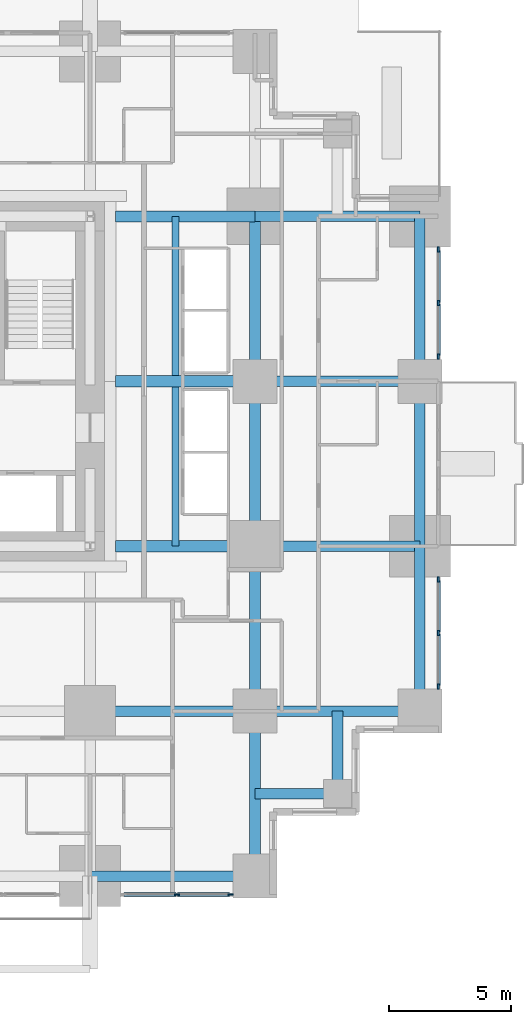
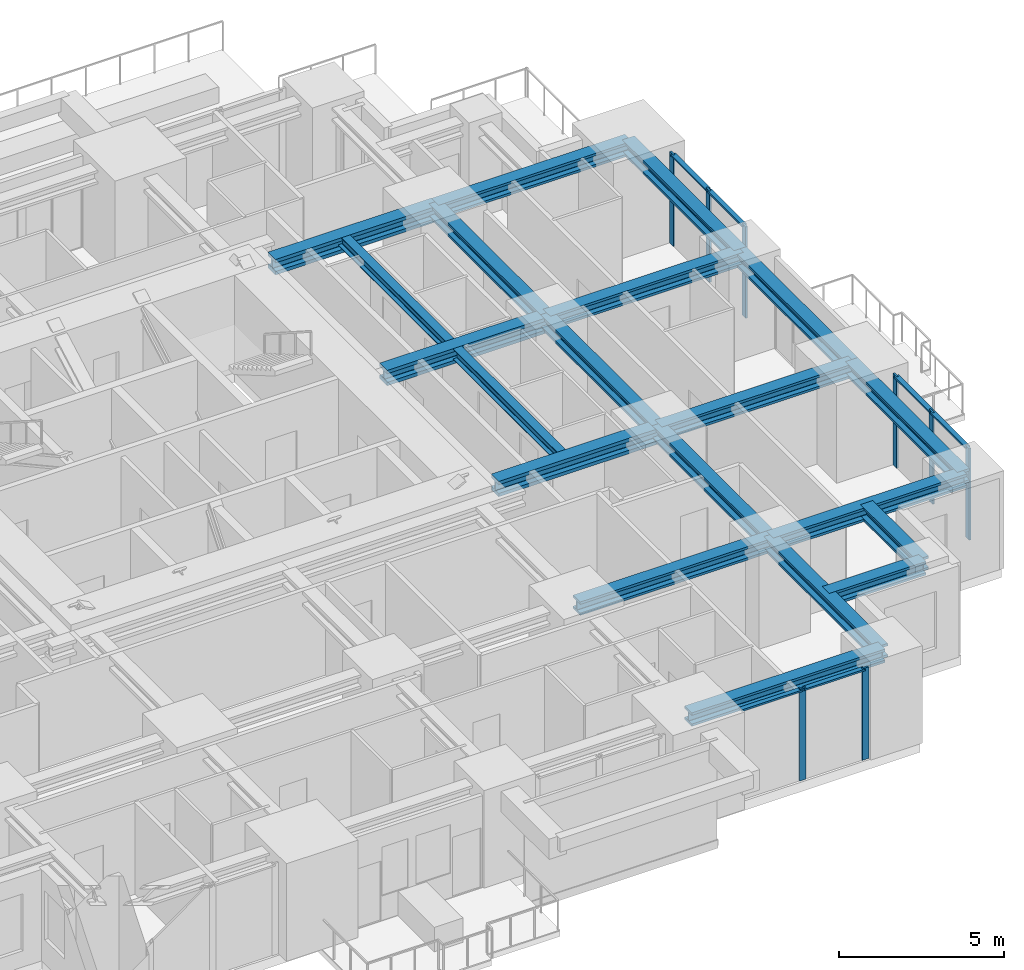
# One storey, part 3 of 12: 20 beams, 14 members, 3 elements without a shape of their own.
"""IFC4 building model written with IfcOpenShell, lengths in metres."""

from ifc_helpers import new_model, si_unit, direction, frame, origin, origin_2d, place, context, subcontext, project, spatial, rectangle, i_section, extrude, material, material_profile, profile_set, type_object, element, aggregate, save


model = new_model("IFC4")

# Units and contexts
model_context = context("Model", 3, precision=1e-05, world=origin(), true_north=direction((0.0, 1.0)))
body_context = subcontext(model_context, "Body", "Model", "MODEL_VIEW")
ifc_project = project(units=[si_unit("LENGTHUNIT", "METRE"), si_unit("AREAUNIT", "SQUARE_METRE"), si_unit("VOLUMEUNIT", "CUBIC_METRE"), si_unit("PLANEANGLEUNIT", "RADIAN"), si_unit("MASSUNIT", "GRAM", prefix="KILO")], contexts=[model_context])

# Site, building, storey
site_placement = place(None, origin())
site = spatial("IfcSite", under=ifc_project, at=site_placement, CompositionType="ELEMENT")
building_placement = place(site_placement, origin())
building = spatial("IfcBuilding", under=site, at=building_placement, Name="Nyansa Garden Tower", CompositionType="ELEMENT")
storey_placement = place(building_placement, frame((0.0, 0.0, 80.10009765625)))
storey = spatial("IfcBuildingStorey", under=building, at=storey_placement, Name="L21", CompositionType="ELEMENT", Elevation=80.10009765625)

# Curtain wall, members
ifc_material_1 = material(Name="Black anodised aluminium, dark tinted double glazing", Category="aluminium")
curtain_wall_type = type_object("IfcCurtainWallType", Name="Inner skin curtain wall ISW-B", PredefinedType="USERDEFINED", material=ifc_material_1)
curtain_wall_1_placement = place(storey_placement, origin())
curtain_wall_1 = element("IfcCurtainWall", 1, at=curtain_wall_1_placement, inside=storey, type_object=curtain_wall_type, Name="Inner skin curtain wall L21 E", ObjectType="UNITISED CURTAIN WALL", PredefinedType="USERDEFINED")
ifc_material_2 = material(Name="Black anodised aluminium", Category="aluminium")
ifc_material_profile_1 = material_profile(ifc_material_2, rectangle(XDim=0.06494140625, YDim=0.22509765625, at=origin_2d()), Name="Mullion 225x65")
ifc_profile_set_1 = profile_set([ifc_material_profile_1], Name="Black anodised aluminium")
member_type_1 = type_object("IfcMemberType", Name="Mullion ISW-B 225x65", PredefinedType="MULLION", material=ifc_profile_set_1)
member_1_placement = place(storey_placement, frame((41.25, 7.762451171875, 0.0), z_axis=(0.0, 0.0, 1.0), x_axis=(-1.0, 0.0, 0.0)))
member_1 = element("IfcMember", 2, at=member_1_placement, type_object=member_type_1, Name="ISW-B mullion 1", PredefinedType="MULLION", context=body_context, shape_type="SweptSolid", body=[
    extrude(rectangle(XDim=0.06494140625, YDim=0.22509765625, at=origin_2d()), origin(), (0.0, 0.0, 1.0), 3.375),
])
member_2_placement = place(storey_placement, frame((41.25, 9.949951171875, 0.0), z_axis=(0.0, 0.0, 1.0), x_axis=(-1.0, 0.0, 0.0)))
member_2 = element("IfcMember", 3, at=member_2_placement, type_object=member_type_1, Name="ISW-B mullion 2", PredefinedType="MULLION", context=body_context, shape_type="SweptSolid", body=[
    extrude(rectangle(XDim=0.06494140625, YDim=0.22509765625, at=origin_2d()), origin(), (0.0, 0.0, 1.0), 3.375),
])
member_3_placement = place(storey_placement, frame((41.25, 12.137451171875, 0.0), z_axis=(0.0, 0.0, 1.0), x_axis=(-1.0, 0.0, 0.0)))
member_3 = element("IfcMember", 4, at=member_3_placement, type_object=member_type_1, Name="ISW-B mullion 3", PredefinedType="MULLION", context=body_context, shape_type="SweptSolid", body=[
    extrude(rectangle(XDim=0.06494140625, YDim=0.22509765625, at=origin_2d()), origin(), (0.0, 0.0, 1.0), 3.375),
])

curtain_wall_2_placement = place(storey_placement, origin())
curtain_wall_2 = element("IfcCurtainWall", 5, at=curtain_wall_2_placement, inside=storey, type_object=curtain_wall_type, Name="Inner skin curtain wall L21 E", ObjectType="UNITISED CURTAIN WALL", PredefinedType="USERDEFINED")
member_4_placement = place(storey_placement, frame((41.25, 21.262451171875, 0.0), z_axis=(0.0, 0.0, 1.0), x_axis=(-1.0, 0.0, 0.0)))
member_4 = element("IfcMember", 6, at=member_4_placement, type_object=member_type_1, Name="ISW-B mullion 1", PredefinedType="MULLION", context=body_context, shape_type="SweptSolid", body=[
    extrude(rectangle(XDim=0.06494140625, YDim=0.22509765625, at=origin_2d()), origin(), (0.0, 0.0, 1.0), 3.375),
])
member_5_placement = place(storey_placement, frame((41.25, 23.449951171875, 0.0), z_axis=(0.0, 0.0, 1.0), x_axis=(-1.0, 0.0, 0.0)))
member_5 = element("IfcMember", 7, at=member_5_placement, type_object=member_type_1, Name="ISW-B mullion 2", PredefinedType="MULLION", context=body_context, shape_type="SweptSolid", body=[
    extrude(rectangle(XDim=0.06494140625, YDim=0.22509765625, at=origin_2d()), origin(), (0.0, 0.0, 1.0), 3.375),
])
member_6_placement = place(storey_placement, frame((41.25, 25.637451171875, 0.0), z_axis=(0.0, 0.0, 1.0), x_axis=(-1.0, 0.0, 0.0)))
member_6 = element("IfcMember", 8, at=member_6_placement, type_object=member_type_1, Name="ISW-B mullion 3", PredefinedType="MULLION", context=body_context, shape_type="SweptSolid", body=[
    extrude(rectangle(XDim=0.06494140625, YDim=0.22509765625, at=origin_2d()), origin(), (0.0, 0.0, 1.0), 3.375),
])

curtain_wall_3_placement = place(storey_placement, origin())
curtain_wall_3 = element("IfcCurtainWall", 9, at=curtain_wall_3_placement, inside=storey, type_object=curtain_wall_type, Name="Inner skin curtain wall L21 S", ObjectType="UNITISED CURTAIN WALL", PredefinedType="USERDEFINED")
member_7_placement = place(storey_placement, frame((30.550048828125, -0.75, 0.0), z_axis=(0.0, 0.0, 1.0), x_axis=(0.0, 1.0, 0.0)))
member_7 = element("IfcMember", 10, at=member_7_placement, type_object=member_type_1, Name="ISW-B mullion 2", PredefinedType="MULLION", context=body_context, shape_type="SweptSolid", body=[
    extrude(rectangle(XDim=0.06494140625, YDim=0.22509765625, at=origin_2d()), origin(), (0.0, 0.0, 1.0), 3.375),
])
member_8_placement = place(storey_placement, frame((32.737548828125, -0.75, 0.0), z_axis=(0.0, 0.0, 1.0), x_axis=(0.0, 1.0, 0.0)))
member_8 = element("IfcMember", 11, at=member_8_placement, type_object=member_type_1, Name="ISW-B mullion 3", PredefinedType="MULLION", context=body_context, shape_type="SweptSolid", body=[
    extrude(rectangle(XDim=0.06494140625, YDim=0.22509765625, at=origin_2d()), origin(), (0.0, 0.0, 1.0), 3.375),
])

# Beams
ifc_material_3 = material(Name="Steel S355", Category="steel")
ifc_material_profile_2 = material_profile(ifc_material_3, i_section(OverallWidth=0.431884765625, OverallDepth=0.498046875, WebThickness=0.0556640625, FlangeThickness=0.0888671875, FilletRadius=0.014892578125, at=origin_2d()), Name="HD 400x744")
ifc_profile_set_2 = profile_set([ifc_material_profile_2], Name="Steel S355")
beam_type_1 = type_object("IfcBeamType", Name="Steel beam SBB2-744 HD 400x744", PredefinedType="BEAM", material=ifc_profile_set_2)
for number, where, z_axis, x_axis, name in (
    (12, (27.0, 6.75, 3.1259765625), (1.0, 0.0, 0.0), (0.0, 1.0, 0.0), "Steel beam 6/E-7/E L22"),
    (13, (33.75, 0.0, 3.1259765625), (0.0, 1.0, 0.0), (-1.0, 0.0, 0.0), "Steel beam 7/D-7/E L22"),
    (14, (33.75, 6.75, 3.1259765625), (0.0, 1.0, 0.0), (-1.0, 0.0, 0.0), "Steel beam 7/E-7/F L22"),
    (15, (33.75, 6.75, 3.1259765625), (1.0, 0.0, 0.0), (0.0, 1.0, 0.0), "Steel beam 7/E-8/E L22"),
    (16, (33.75, 13.5, 3.1259765625), (0.0, 1.0, 0.0), (-1.0, 0.0, 0.0), "Steel beam 7/F-7/G L22"),
    (17, (33.75, 13.5, 3.1259765625), (1.0, 0.0, 0.0), (0.0, 1.0, 0.0), "Steel beam 7/F-8/F L22"),
    (18, (33.75, 20.25, 3.1259765625), (0.0, 1.0, 0.0), (-1.0, 0.0, 0.0), "Steel beam 7/G-7/H L22"),
    (19, (33.75, 20.25, 3.1259765625), (1.0, 0.0, 0.0), (0.0, 1.0, 0.0), "Steel beam 7/G-8/G L22"),
    (20, (33.75, 27.0, 3.1259765625), (1.0, 0.0, 0.0), (0.0, 1.0, 0.0), "Steel beam 7/H-8/H L22"),
):
    element("IfcBeam", number, at=place(storey_placement, frame(where, z_axis=z_axis, x_axis=x_axis)), inside=storey, type_object=beam_type_1, Name=name, PredefinedType="BEAM", context=body_context, shape_type="SweptSolid", body=[
        extrude(i_section(OverallWidth=0.431884765625, OverallDepth=0.498046875, WebThickness=0.0556640625, FlangeThickness=0.0888671875, FilletRadius=0.014892578125, at=origin_2d()), origin(), (0.0, 0.0, 1.0), 6.75),
    ])
ifc_material_4 = material(Name="Steel S355", Category="steel")
ifc_material_profile_3 = material_profile(ifc_material_4, i_section(OverallWidth=0.4541015625, OverallDepth=0.569091796875, WebThickness=0.077880859375, FlangeThickness=0.125, FilletRadius=0.014892578125, at=origin_2d()), Name="HD 400x1086")
ifc_profile_set_3 = profile_set([ifc_material_profile_3], Name="Steel S355")
beam_type_2 = type_object("IfcBeamType", Name="Steel beam SCL-1086 HD 400x1086", PredefinedType="BEAM", material=ifc_profile_set_3)
for number, where, z_axis, x_axis, name in (
    (21, (28.050048828125, 13.5, 3.09033203125), (1.0, 0.0, 0.0), (0.0, 1.0, 0.0), "Steel beam 28.050/F-7/F L22"),
    (22, (28.050048828125, 20.25, 3.09033203125), (1.0, 0.0, 0.0), (0.0, 1.0, 0.0), "Steel beam 28.050/G-7/G L22"),
    (23, (28.050048828125, 27.0, 3.09033203125), (1.0, 0.0, 0.0), (0.0, 1.0, 0.0), "Steel beam 28.050/H-7/H L22"),
):
    element("IfcBeam", number, at=place(storey_placement, frame(where, z_axis=z_axis, x_axis=x_axis)), inside=storey, type_object=beam_type_2, Name=name, PredefinedType="BEAM", context=body_context, shape_type="SweptSolid", body=[
        extrude(i_section(OverallWidth=0.4541015625, OverallDepth=0.569091796875, WebThickness=0.077880859375, FlangeThickness=0.125, FilletRadius=0.014892578125, at=origin_2d()), origin(), (0.0, 0.0, 1.0), 5.699951171875),
    ])
ifc_material_5 = material(Name="Steel S355", Category="steel")
ifc_material_profile_4 = material_profile(ifc_material_5, i_section(OverallWidth=0.431884765625, OverallDepth=0.498046875, WebThickness=0.0556640625, FlangeThickness=0.0888671875, FilletRadius=0.014892578125, at=origin_2d()), Name="HD 400x744")
ifc_profile_set_4 = profile_set([ifc_material_profile_4], Name="Steel S355")
beam_type_3 = type_object("IfcBeamType", Name="Steel beam SEBB-744 HD 400x744", PredefinedType="BEAM", material=ifc_profile_set_4)
for number, where, z_axis, x_axis, name in (
    (24, (27.0, 0.0, 3.1259765625), (1.0, 0.0, 0.0), (0.0, 1.0, 0.0), "Steel edge beam 6/D-7/D L22"),
    (25, (40.5, 6.75, 3.1259765625), (0.0, 1.0, 0.0), (-1.0, 0.0, 0.0), "Steel edge beam 8/E-8/F L22"),
    (26, (40.5, 13.5, 3.1259765625), (0.0, 1.0, 0.0), (-1.0, 0.0, 0.0), "Steel edge beam 8/F-8/G L22"),
    (27, (40.5, 20.25, 3.1259765625), (0.0, 1.0, 0.0), (-1.0, 0.0, 0.0), "Steel edge beam 8/G-8/H L22"),
):
    element("IfcBeam", number, at=place(storey_placement, frame(where, z_axis=z_axis, x_axis=x_axis)), inside=storey, type_object=beam_type_3, Name=name, PredefinedType="BEAM", context=body_context, shape_type="SweptSolid", body=[
        extrude(i_section(OverallWidth=0.431884765625, OverallDepth=0.498046875, WebThickness=0.0556640625, FlangeThickness=0.0888671875, FilletRadius=0.014892578125, at=origin_2d()), origin(), (0.0, 0.0, 1.0), 6.75),
    ])
ifc_material_6 = material(Name="Steel S355", Category="steel")
ifc_material_profile_5 = material_profile(ifc_material_6, i_section(OverallWidth=0.431884765625, OverallDepth=0.498046875, WebThickness=0.0556640625, FlangeThickness=0.0888671875, FilletRadius=0.014892578125, at=origin_2d()), Name="HD 400x744")
ifc_profile_set_5 = profile_set([ifc_material_profile_5], Name="Steel S355")
beam_type_4 = type_object("IfcBeamType", Name="Steel beam SSB1-744 HD 400x744", PredefinedType="BEAM", material=ifc_profile_set_5)
for number, where, z_axis, x_axis, name in (
    (28, (37.125, 3.375, 3.1259765625), (0.0, 1.0, 0.0), (-1.0, 0.0, 0.0), "Steel step beam 37.125/3.375 L22"),
    (29, (37.125, 3.375, 3.1259765625), (-1.0, 0.0, 0.0), (0.0, -1.0, 0.0), "Steel step beam 37.125/3.375 L22"),
):
    element("IfcBeam", number, at=place(storey_placement, frame(where, z_axis=z_axis, x_axis=x_axis)), inside=storey, type_object=beam_type_4, Name=name, PredefinedType="BEAM", context=body_context, shape_type="SweptSolid", body=[
        extrude(i_section(OverallWidth=0.431884765625, OverallDepth=0.498046875, WebThickness=0.0556640625, FlangeThickness=0.0888671875, FilletRadius=0.014892578125, at=origin_2d()), origin(), (0.0, 0.0, 1.0), 3.375),
    ])

# Member
ifc_material_7 = material(Name="Black anodised aluminium", Category="aluminium")
ifc_material_profile_6 = material_profile(ifc_material_7, rectangle(XDim=0.1650390625, YDim=0.06494140625, at=origin_2d()), Name="Transom 165x65")
ifc_profile_set_6 = profile_set([ifc_material_profile_6], Name="Black anodised aluminium")
member_type_2 = type_object("IfcMemberType", Name="Transom ISW-B 165x65", PredefinedType="USERDEFINED", material=ifc_profile_set_6)
member_9_placement = place(storey_placement, frame((41.25, 7.794921875, 3.34228515625), z_axis=(0.0, 1.0, 0.0), x_axis=(-1.0, 0.0, 0.0)))
member_9 = element("IfcMember", 30, at=member_9_placement, type_object=member_type_2, Name="ISW-B transom 1", ObjectType="TRANSOM", PredefinedType="USERDEFINED", context=body_context, shape_type="SweptSolid", body=[
    extrude(rectangle(XDim=0.1650390625, YDim=0.06494140625, at=origin_2d()), origin(), (0.0, 0.0, 1.0), 2.12255859375),
])

member_10_placement = place(storey_placement, frame((41.25, 9.982421875, 3.34228515625), z_axis=(0.0, 1.0, 0.0), x_axis=(-1.0, 0.0, 0.0)))
member_10 = element("IfcMember", 31, at=member_10_placement, type_object=member_type_2, Name="ISW-B transom 2", ObjectType="TRANSOM", PredefinedType="USERDEFINED", context=body_context, shape_type="SweptSolid", body=[
    extrude(rectangle(XDim=0.1650390625, YDim=0.06494140625, at=origin_2d()), origin(), (0.0, 0.0, 1.0), 2.12255859375),
])

aggregate(curtain_wall_1, [member_1, member_2, member_3, member_9, member_10])

member_11_placement = place(storey_placement, frame((41.25, 21.294921875, 3.34228515625), z_axis=(0.0, 1.0, 0.0), x_axis=(-1.0, 0.0, 0.0)))
member_11 = element("IfcMember", 32, at=member_11_placement, type_object=member_type_2, Name="ISW-B transom 1", ObjectType="TRANSOM", PredefinedType="USERDEFINED", context=body_context, shape_type="SweptSolid", body=[
    extrude(rectangle(XDim=0.1650390625, YDim=0.06494140625, at=origin_2d()), origin(), (0.0, 0.0, 1.0), 2.12255859375),
])

member_12_placement = place(storey_placement, frame((41.25, 23.482421875, 3.34228515625), z_axis=(0.0, 1.0, 0.0), x_axis=(-1.0, 0.0, 0.0)))
member_12 = element("IfcMember", 33, at=member_12_placement, type_object=member_type_2, Name="ISW-B transom 2", ObjectType="TRANSOM", PredefinedType="USERDEFINED", context=body_context, shape_type="SweptSolid", body=[
    extrude(rectangle(XDim=0.1650390625, YDim=0.06494140625, at=origin_2d()), origin(), (0.0, 0.0, 1.0), 2.12255859375),
])

aggregate(curtain_wall_2, [member_4, member_5, member_6, member_11, member_12])

member_13_placement = place(storey_placement, frame((28.39501953125, -0.75, 3.34228515625), z_axis=(1.0, 0.0, 0.0), x_axis=(0.0, 1.0, 0.0)))
member_13 = element("IfcMember", 34, at=member_13_placement, type_object=member_type_2, Name="ISW-B transom 1", ObjectType="TRANSOM", PredefinedType="USERDEFINED", context=body_context, shape_type="SweptSolid", body=[
    extrude(rectangle(XDim=0.1650390625, YDim=0.06494140625, at=origin_2d()), origin(), (0.0, 0.0, 1.0), 2.12255859375),
])

member_14_placement = place(storey_placement, frame((30.58251953125, -0.75, 3.34228515625), z_axis=(1.0, 0.0, 0.0), x_axis=(0.0, 1.0, 0.0)))
member_14 = element("IfcMember", 35, at=member_14_placement, type_object=member_type_2, Name="ISW-B transom 2", ObjectType="TRANSOM", PredefinedType="USERDEFINED", context=body_context, shape_type="SweptSolid", body=[
    extrude(rectangle(XDim=0.1650390625, YDim=0.06494140625, at=origin_2d()), origin(), (0.0, 0.0, 1.0), 2.12255859375),
])

aggregate(curtain_wall_3, [member_7, member_8, member_13, member_14])

# Beams
ifc_material_8 = material(Name="Steel S355", Category="steel")
ifc_material_profile_7 = material_profile(ifc_material_8, i_section(OverallWidth=0.300048828125, OverallDepth=0.39990234375, WebThickness=0.013427734375, FlangeThickness=0.02392578125, FilletRadius=0.027099609375, at=origin_2d()), Name="HE 400 B")
ifc_profile_set_7 = profile_set([ifc_material_profile_7], Name="Steel S355")
beam_type_5 = type_object("IfcBeamType", Name="Trimmer beam TR1 HE 400 B", PredefinedType="BEAM", material=ifc_profile_set_7)
for number, where, z_axis, x_axis, name in (
    (36, (30.5, 13.5, 3.1748046875), (0.0, 1.0, 0.0), (-1.0, 0.0, 0.0), "Trimmer beam 1 L22"),
    (37, (30.5, 20.47705078125, 3.1748046875), (0.0, 1.0, 0.0), (-1.0, 0.0, 0.0), "Trimmer beam 2 L22"),
):
    element("IfcBeam", number, at=place(storey_placement, frame(where, z_axis=z_axis, x_axis=x_axis)), inside=storey, type_object=beam_type_5, Name=name, PredefinedType="BEAM", context=body_context, shape_type="SweptSolid", body=[
        extrude(i_section(OverallWidth=0.300048828125, OverallDepth=0.39990234375, WebThickness=0.013427734375, FlangeThickness=0.02392578125, FilletRadius=0.027099609375, at=origin_2d()), origin(), (0.0, 0.0, 1.0), 6.52294921875),
    ])

save(model, "model.ifc")
